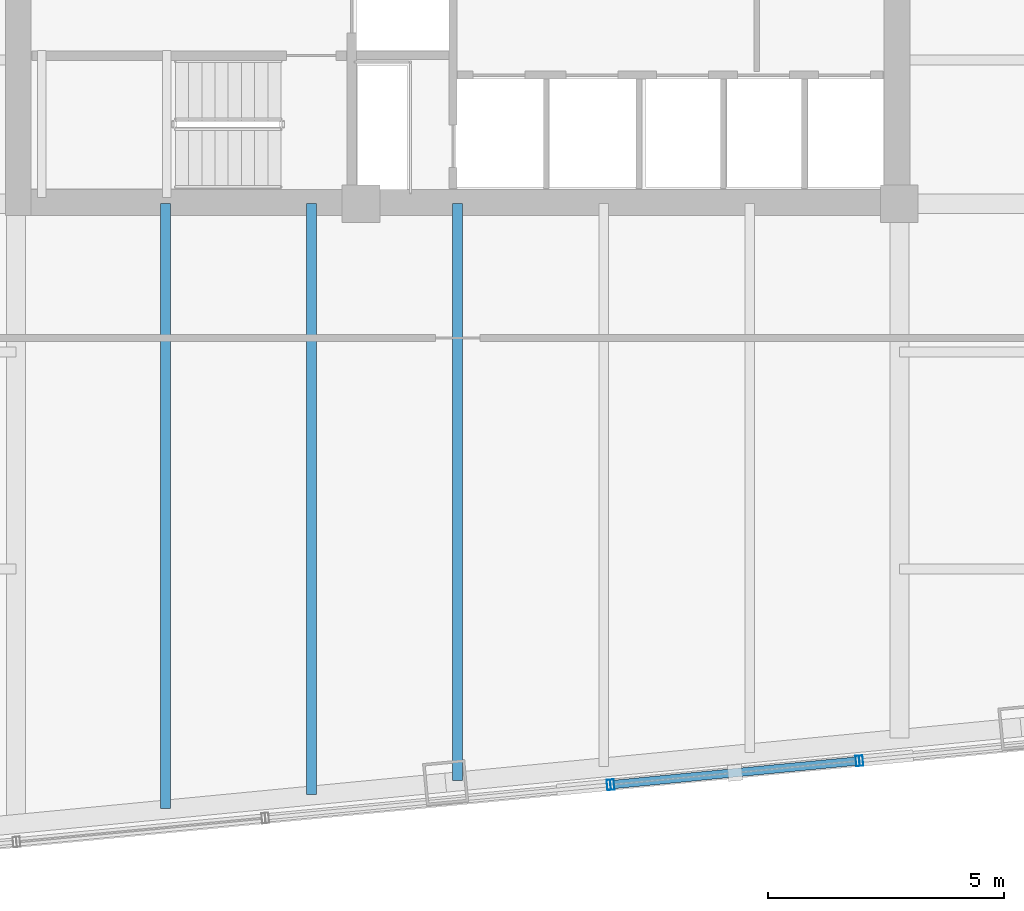
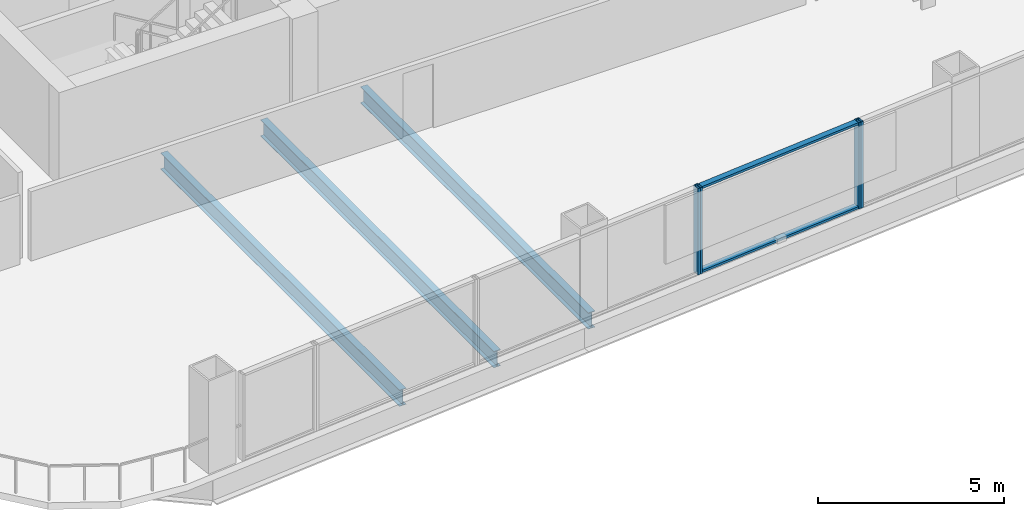
# One storey, part 5 of 26: 6 members, 3 beams, 3 elements without a shape of their own.
"""IFC4 building model written with IfcOpenShell, lengths in metres."""

from ifc_helpers import new_model, si_unit, direction, frame, origin, origin_2d, place, context, subcontext, project, spatial, hollow_rectangle, i_section, extrude, material, layer, layer_set, material_profile, profile_set, type_object, element, aggregate, save


model = new_model("IFC4")

# Units and contexts
model_context = context("Model", 3, precision=1e-05, world=origin(), true_north=direction((0.0, 1.0)))
body_context = subcontext(model_context, "Body", "Model", "MODEL_VIEW")
ifc_project = project(units=[si_unit("LENGTHUNIT", "METRE"), si_unit("AREAUNIT", "SQUARE_METRE"), si_unit("VOLUMEUNIT", "CUBIC_METRE"), si_unit("PLANEANGLEUNIT", "RADIAN"), si_unit("MASSUNIT", "GRAM", prefix="KILO")], contexts=[model_context])

# Site, building, storey
site_placement = place(None, origin())
site = spatial("IfcSite", under=ifc_project, at=site_placement, CompositionType="ELEMENT")
building_placement = place(site_placement, origin())
building = spatial("IfcBuilding", under=site, at=building_placement, Name="Qhalaya Broadcast Tower", CompositionType="ELEMENT")
storey_placement = place(building_placement, frame((0.0, 0.0, 72.5)))
storey = spatial("IfcBuildingStorey", under=building, at=storey_placement, Name="L20", CompositionType="ELEMENT", Elevation=72.5)

# Beams
ifc_material_1 = material(Name="Structural Steel ASTM A992 Grade 50", Category="steel")
ifc_material_profile_1 = material_profile(ifc_material_1, i_section(OverallWidth=0.2099609375, OverallDepth=0.535888671875, WebThickness=0.010986328125, FlangeThickness=0.017333984375, at=origin_2d()), Name="W21X68")
ifc_profile_set_1 = profile_set([ifc_material_profile_1], Name="Structural Steel ASTM A992 Grade 50")
beam_type = type_object("IfcBeamType", Name="Composite Floor Joist J02", PredefinedType="JOIST", material=ifc_profile_set_1)
beam_1_placement = place(storey_placement, frame((-6.199951171875, -21.589111328125, -0.488037109375), z_axis=(0.0, 1.0, 0.0), x_axis=(-1.0, 0.0, 0.0)))
element("IfcBeam", 1, at=beam_1_placement, inside=storey, type_object=beam_type, Name="L20 J02 L20-JNS1-1", PredefinedType="JOIST", context=body_context, shape_type="SweptSolid", body=[
    extrude(i_section(OverallWidth=0.2099609375, OverallDepth=0.535888671875, WebThickness=0.010986328125, FlangeThickness=0.017333984375, at=origin_2d()), origin(), (0.0, 0.0, 1.0), 12.839111328125),
])
beam_2_placement = place(storey_placement, frame((-3.10009765625, -21.290771484375, -0.488037109375), z_axis=(0.0, 1.0, 0.0), x_axis=(-1.0, 0.0, 0.0)))
element("IfcBeam", 2, at=beam_2_placement, inside=storey, type_object=beam_type, Name="L20 J02 L20-JNS2-1", PredefinedType="JOIST", context=body_context, shape_type="SweptSolid", body=[
    extrude(i_section(OverallWidth=0.2099609375, OverallDepth=0.535888671875, WebThickness=0.010986328125, FlangeThickness=0.017333984375, at=origin_2d()), origin(), (0.0, 0.0, 1.0), 12.540771484375),
])
beam_3_placement = place(storey_placement, frame((0.0, -20.9921875, -0.488037109375), z_axis=(0.0, 1.0, 0.0), x_axis=(-1.0, 0.0, 0.0)))
element("IfcBeam", 3, at=beam_3_placement, inside=storey, type_object=beam_type, Name="L20 J02 L20-JNS3-1", PredefinedType="JOIST", context=body_context, shape_type="SweptSolid", body=[
    extrude(i_section(OverallWidth=0.2099609375, OverallDepth=0.535888671875, WebThickness=0.010986328125, FlangeThickness=0.017333984375, at=origin_2d()), origin(), (0.0, 0.0, 1.0), 12.2421875),
])

# Curtain wall, member
ifc_material_2 = material(Name="Fired Architectural Terracotta", Category="masonry")
ifc_layer_1 = layer(ifc_material_2, 0.219970703125, Name="Fired Architectural Terracotta")
ifc_layer_set_1 = layer_set([ifc_layer_1], Name="Fired Architectural Terracotta")
curtain_wall_type_1 = type_object("IfcCurtainWallType", Name="Block-Cap Unitised Terracotta Spandrel Wall CW-07", PredefinedType="NOTDEFINED", material=ifc_layer_set_1)
curtain_wall_1_placement = place(storey_placement, origin())
curtain_wall_1 = element("IfcCurtainWall", 4, at=curtain_wall_1_placement, inside=storey, type_object=curtain_wall_type_1, Name="L20 Unitised Curtain Wall L20-CW-S3", PredefinedType="NOTDEFINED")
ifc_material_3 = material(Name="Anodised Aluminium 6063-T6", Category="aluminium")
ifc_material_profile_2 = material_profile(ifc_material_3, hollow_rectangle(XDim=0.074951171875, YDim=0.219970703125, WallThickness=0.00390625, at=origin_2d()), Name="ALU-MUL 75x220x4")
ifc_profile_set_2 = profile_set([ifc_material_profile_2], Name="Anodised Aluminium 6063-T6")
member_type_1 = type_object("IfcMemberType", Name="Unitised Curtain-Wall Mullion M01", PredefinedType="MULLION", material=ifc_profile_set_2)
member_1_placement = place(storey_placement, frame((3.208251953125, -21.085205078125, 0.0), z_axis=(0.0, 0.0, 1.0), x_axis=(0.995396450907, 0.095843129762, 0.0)))
member_1 = element("IfcMember", 5, at=member_1_placement, type_object=member_type_1, Name="CW-07 mullion 2", PredefinedType="MULLION", context=body_context, shape_type="SweptSolid", body=[
    extrude(hollow_rectangle(XDim=0.074951171875, YDim=0.219970703125, WallThickness=0.00390625, at=origin_2d()), origin(), (0.0, 0.0, 1.0), 2.830078125),
])
aggregate(curtain_wall_1, [member_1])

# Curtain wall, members
ifc_material_4 = material(Name="Solar-Control Low-E Triple Glazing", Category="glass")
ifc_layer_2 = layer(ifc_material_4, 0.219970703125, Name="Solar-Control Low-E Triple Glazing")
ifc_layer_set_2 = layer_set([ifc_layer_2], Name="Solar-Control Low-E Triple Glazing")
curtain_wall_type_2 = type_object("IfcCurtainWallType", Name="Even-Block 4-Storey Double-Module Curtain Wall CW-03", PredefinedType="NOTDEFINED", material=ifc_layer_set_2)
curtain_wall_2_placement = place(storey_placement, origin())
curtain_wall_2 = element("IfcCurtainWall", 6, at=curtain_wall_2_placement, inside=storey, type_object=curtain_wall_type_2, Name="L20 Unitised Curtain Wall L20-CW-S4", PredefinedType="NOTDEFINED")
member_2_placement = place(storey_placement, frame((3.28271484375, -21.078125, 0.0), z_axis=(0.0, 0.0, 1.0), x_axis=(0.995395483385, 0.095853177608, 0.0)))
member_2 = element("IfcMember", 7, at=member_2_placement, type_object=member_type_1, Name="CW-03 mullion 1", PredefinedType="MULLION", context=body_context, shape_type="SweptSolid", body=[
    extrude(hollow_rectangle(XDim=0.074951171875, YDim=0.219970703125, WallThickness=0.00390625, at=origin_2d()), origin(), (0.0, 0.0, 1.0), 2.830078125),
])
member_3_placement = place(storey_placement, frame((8.48974609375, -20.57666015625, 0.0), z_axis=(0.0, 0.0, 1.0), x_axis=(0.995395483385, 0.095853177608, 0.0)))
member_3 = element("IfcMember", 8, at=member_3_placement, type_object=member_type_1, Name="CW-03 mullion 2", PredefinedType="MULLION", context=body_context, shape_type="SweptSolid", body=[
    extrude(hollow_rectangle(XDim=0.074951171875, YDim=0.219970703125, WallThickness=0.00390625, at=origin_2d()), origin(), (0.0, 0.0, 1.0), 2.830078125),
])

# Curtain wall, member
curtain_wall_3_placement = place(storey_placement, origin())
curtain_wall_3 = element("IfcCurtainWall", 9, at=curtain_wall_3_placement, inside=storey, type_object=curtain_wall_type_1, Name="L20 Unitised Curtain Wall L20-CW-S5", PredefinedType="NOTDEFINED")
member_4_placement = place(storey_placement, frame((8.564453125, -20.5693359375, 0.0), z_axis=(0.0, 0.0, 1.0), x_axis=(0.995396450907, 0.095843129762, 0.0)))
member_4 = element("IfcMember", 10, at=member_4_placement, type_object=member_type_1, Name="CW-07 mullion 1", PredefinedType="MULLION", context=body_context, shape_type="SweptSolid", body=[
    extrude(hollow_rectangle(XDim=0.074951171875, YDim=0.219970703125, WallThickness=0.00390625, at=origin_2d()), origin(), (0.0, 0.0, 1.0), 2.830078125),
])
aggregate(curtain_wall_3, [member_4])

# Member
ifc_material_profile_3 = material_profile(ifc_material_3, hollow_rectangle(XDim=0.074951171875, YDim=0.179931640625, WallThickness=0.00390625, at=origin_2d()), Name="ALU-TRN 75x180x4")
ifc_profile_set_3 = profile_set([ifc_material_profile_3], Name="Anodised Aluminium 6063-T6")
member_type_2 = type_object("IfcMemberType", Name="Unitised Curtain-Wall Transom T01", PredefinedType="USERDEFINED", material=ifc_profile_set_3)
member_5_placement = place(storey_placement, frame((3.320068359375, -21.074462890625, 0.03759765625), z_axis=(0.995392531182, 0.095883830066, 0.0), x_axis=(0.0, 0.0, 1.0)))
member_5 = element("IfcMember", 11, at=member_5_placement, type_object=member_type_2, Name="CW-03 transom 1.1", ObjectType="TRANSOM", PredefinedType="USERDEFINED", context=body_context, shape_type="SweptSolid", body=[
    extrude(hollow_rectangle(XDim=0.074951171875, YDim=0.179931640625, WallThickness=0.00390625, at=origin_2d()), origin(), (0.0, 0.0, 1.0), 5.156005859375),
])

member_6_placement = place(storey_placement, frame((3.320068359375, -21.074462890625, 2.79248046875), z_axis=(0.995392531182, 0.095883830066, 0.0), x_axis=(0.0, 0.0, 1.0)))
member_6 = element("IfcMember", 12, at=member_6_placement, type_object=member_type_2, Name="CW-03 transom 1.2", ObjectType="TRANSOM", PredefinedType="USERDEFINED", context=body_context, shape_type="SweptSolid", body=[
    extrude(hollow_rectangle(XDim=0.074951171875, YDim=0.179931640625, WallThickness=0.00390625, at=origin_2d()), origin(), (0.0, 0.0, 1.0), 5.156005859375),
])

aggregate(curtain_wall_2, [member_2, member_3, member_5, member_6])

save(model, "model.ifc")
